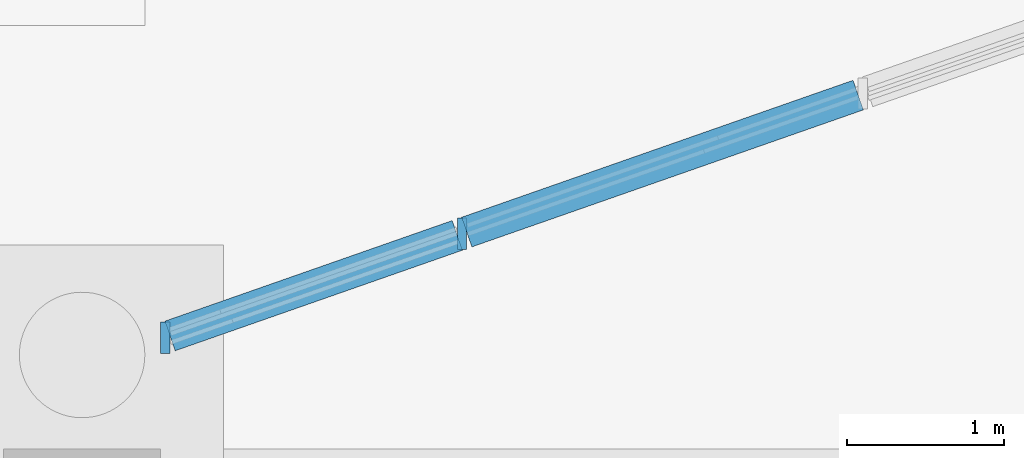
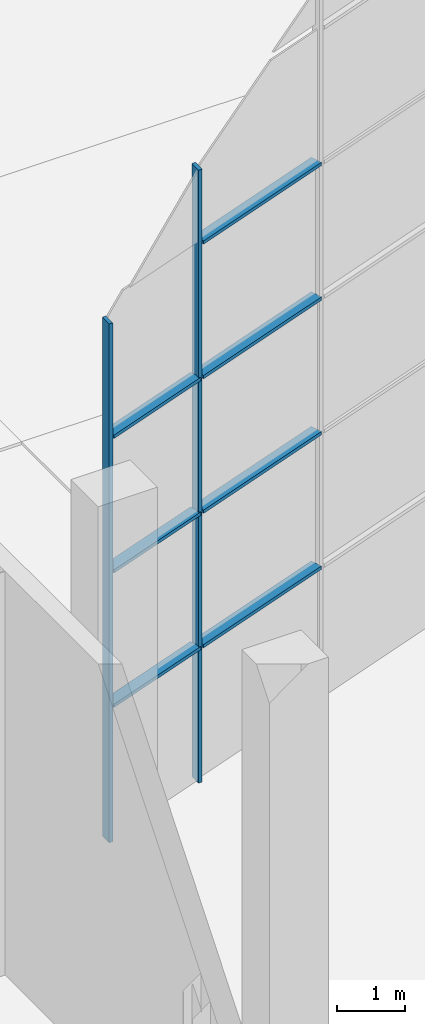
# One storey, part 132 of 239: 9 members, 1 element without a shape of its own.
"""IFC4 building model written with IfcOpenShell, lengths in metres."""

import ifcopenshell
import ifcopenshell.guid

model = None  # the IFC model being written
_history = None  # IfcOwnerHistory: only IFC2X3 demands one
_inside = {}  # id of a spatial element -> (the spatial element, [elements in it])
_under = {}  # id of a project, library or spatial element -> (it, [spatial elements below it])
_declared = {}  # id of a project -> (the project, [libraries it declares])
_typed = {}  # id of a type object -> (the type object, [elements of that type])
_made_of = {}  # id of a material, layer set ... -> (it, [elements and type objects made of it])


def new_model(schema):
    """Start an empty IFC model of exactly this schema.

    Asked for "IFC4X3", IfcOpenShell would pick the latest addendum, in which some entities
    have other attributes; the version numbers below select the first issue.
    IFC2X3 requires an IfcOwnerHistory on every rooted entity: one is made here for all.
    """
    global model, _history
    if schema == "IFC4X3":
        model = ifcopenshell.file(schema_version=(4, 3, 0, 0))
    else:
        model = ifcopenshell.file(schema=schema)
    _inside.clear()
    _under.clear()
    _declared.clear()
    _typed.clear()
    _made_of.clear()
    _history = None
    if model.schema == "IFC2X3":
        org = make("IfcOrganization", Name="unknown")
        user = make(
            "IfcPersonAndOrganization",
            ThePerson=make("IfcPerson", FamilyName="unknown"),
            TheOrganization=org,
        )
        app = make(
            "IfcApplication",
            ApplicationDeveloper=org,
            Version="unknown",
            ApplicationFullName="unknown",
            ApplicationIdentifier="unknown",
        )
        _history = make(
            "IfcOwnerHistory",
            OwningUser=user,
            OwningApplication=app,
            ChangeAction="ADDED",
            CreationDate=0,
        )
    return model


def make(cls, **values):
    """One entity of the class cls with the attributes given. An attribute that is None is left unset."""
    return model.create_entity(
        cls, **{name: value for name, value in values.items() if value is not None}
    )


def rooted(cls, **values):
    """An entity with a GlobalId (a new one), such as an element, a storey or a relation."""
    return make(cls, GlobalId=ifcopenshell.guid.new(), OwnerHistory=_history, **values)


def si_unit(unit_type, name, prefix=None):
    """IfcSIUnit, for example si_unit("LENGTHUNIT", "METRE", prefix="MILLI")."""
    return make("IfcSIUnit", UnitType=unit_type, Prefix=prefix, Name=name)


def assignment(units):
    """IfcUnitAssignment: the units of a project."""
    return None if units is None else make("IfcUnitAssignment", Units=units)


def point(xyz):
    """IfcCartesianPoint."""
    return None if xyz is None else make("IfcCartesianPoint", Coordinates=xyz)


def direction(xyz):
    """IfcDirection."""
    return None if xyz is None else make("IfcDirection", DirectionRatios=xyz)


def frame(location, z_axis=None, x_axis=None):
    """IfcAxis2Placement3D, a coordinate frame: its origin and axes. An axis left out is left unset."""
    return make(
        "IfcAxis2Placement3D",
        Location=point(location),
        Axis=direction(z_axis),
        RefDirection=direction(x_axis),
    )


def frame_2d(location, x_axis=None):
    """IfcAxis2Placement2D, a coordinate frame in the plane: its origin and x axis."""
    return make(
        "IfcAxis2Placement2D", Location=point(location), RefDirection=direction(x_axis)
    )


def origin():
    """The frame at (0, 0, 0) with its axes left unset."""
    return frame((0.0, 0.0, 0.0))


def origin_2d():
    """The frame at (0, 0) in the plane with its x axis left unset."""
    return frame_2d((0.0, 0.0))


def place(relative_to, where):
    """IfcLocalPlacement: puts the frame where relative to a parent placement (None: the world)."""
    return make(
        "IfcLocalPlacement", PlacementRelTo=relative_to, RelativePlacement=where
    )


def context(
    kind, dimensions, precision=None, world=None, true_north=None, identifier=None
):
    """IfcGeometricRepresentationContext, for example the 3D "Model" context."""
    return make(
        "IfcGeometricRepresentationContext",
        ContextIdentifier=identifier,
        ContextType=kind,
        CoordinateSpaceDimension=dimensions,
        Precision=precision,
        WorldCoordinateSystem=world,
        TrueNorth=true_north,
    )


def subcontext(parent, identifier, kind, view, scale=None):
    """IfcGeometricRepresentationSubContext, for example "Body" below "Model"."""
    return make(
        "IfcGeometricRepresentationSubContext",
        ContextIdentifier=identifier,
        ContextType=kind,
        ParentContext=parent,
        TargetScale=scale,
        TargetView=view,
    )


def project(units=None, contexts=None):
    """IfcProject with its units and contexts."""
    return rooted(
        "IfcProject",
        Name="project",
        RepresentationContexts=contexts,
        UnitsInContext=assignment(units),
    )


def spatial(cls, under=None, at=None, **own):
    """A site, building, storey or space (cls), placed at a placement, below another one or the project."""
    s = rooted(cls, ObjectPlacement=at, **own)
    if under is not None:
        _under.setdefault(under.id(), (under, []))[1].append(s)
    return s


def profile(cls, at=None, kind="AREA", **sizes):
    """A parametric profile (cls). Its sizes go by their IFC names, for example OverallWidth=200.0."""
    return make(cls, ProfileType=kind, Position=at, **sizes)


def rectangle(**sizes):
    """IfcRectangleProfileDef."""
    return profile("IfcRectangleProfileDef", **sizes)


def extrude(swept, where, along, depth):
    """IfcExtrudedAreaSolid: the profile swept, set in the frame where, extruded along a direction by depth."""
    return make(
        "IfcExtrudedAreaSolid",
        SweptArea=swept,
        Position=where,
        ExtrudedDirection=direction(along),
        Depth=depth,
    )


def shape(context_of_items, identifier, shape_type, items):
    """IfcShapeRepresentation: the items that make up one representation, for example the "Body"."""
    return make(
        "IfcShapeRepresentation",
        ContextOfItems=context_of_items,
        RepresentationIdentifier=identifier,
        RepresentationType=shape_type,
        Items=items,
    )


def material(Name=None, Category=None):
    """IfcMaterial."""
    return make("IfcMaterial", Name=Name, Category=Category)


def material_profile(
    of_material, cross_section, Name=None, Category=None, Priority=None
):
    """IfcMaterialProfile: a cross section and its material."""
    return make(
        "IfcMaterialProfile",
        Name=Name,
        Material=of_material,
        Profile=cross_section,
        Priority=Priority,
        Category=Category,
    )


def profile_set(profiles, Name=None, composite=None):
    """IfcMaterialProfileSet."""
    return make(
        "IfcMaterialProfileSet",
        Name=Name,
        MaterialProfiles=profiles,
        CompositeProfile=composite,
    )


def made_of(thing, what):
    """Note that an element or type object is made of a material, layer set ...; save() writes the relation."""
    if what is not None:
        _made_of.setdefault(what.id(), (what, []))[1].append(thing)
    return thing


def type_object(cls, material=None, **own):
    """A type object (cls), such as IfcWallType, which elements share."""
    return made_of(rooted(cls, **own), material)


def element(
    cls,
    number,
    at=None,
    inside=None,
    cuts=None,
    type_object=None,
    material=None,
    context=None,
    identifier="Body",
    shape_type=None,
    held_by="IfcProductDefinitionShape",
    body=None,
    shapes=None,
    **own,
):
    """One element of the class cls, such as IfcWall. Its Tag is "e" and its number.

    at: its placement. inside: the storey or other place that contains it. cuts: it is an
    opening in that element (IfcRelVoidsElement). A single representation is given by context,
    identifier, shape_type and body (its items); several are given by shapes. held_by: the class
    of the entity that holds the representations. save() writes the other relations.
    """
    e = rooted(cls, Tag="e%d" % number, ObjectPlacement=at, **own)
    if body is not None:
        shapes = [shape(context, identifier, shape_type, body)]
    if shapes is not None:
        e.Representation = make(held_by, Representations=shapes)
    if inside is not None:
        _inside.setdefault(inside.id(), (inside, []))[1].append(e)
    if cuts is not None:
        rooted(
            "IfcRelVoidsElement", RelatingBuildingElement=cuts, RelatedOpeningElement=e
        )
    if type_object is not None:
        _typed.setdefault(type_object.id(), (type_object, []))[1].append(e)
    return made_of(e, material)


def aggregate(whole, parts):
    """IfcRelAggregates: a whole, such as a stair, and the parts it consists of."""
    return rooted("IfcRelAggregates", RelatingObject=whole, RelatedObjects=parts)


def save(model, path):
    """Write the relations noted so far, then the file.

    IfcRelAggregates (storeys below a building ...), IfcRelContainedInSpatialStructure (elements
    in a storey), IfcRelDefinesByType, IfcRelAssociatesMaterial and IfcRelDeclares: one each for
    every whole, place, type object, material and project.
    """
    for whole, parts in _under.values():
        aggregate(whole, parts)
    for where, things in _inside.values():
        rooted(
            "IfcRelContainedInSpatialStructure",
            RelatedElements=things,
            RelatingStructure=where,
        )
    for kind, things in _typed.values():
        rooted("IfcRelDefinesByType", RelatedObjects=things, RelatingType=kind)
    for what, things in _made_of.values():
        rooted("IfcRelAssociatesMaterial", RelatedObjects=things, RelatingMaterial=what)
    for by, libraries in _declared.values():
        rooted("IfcRelDeclares", RelatingContext=by, RelatedDefinitions=libraries)
    model.write(path)


model = new_model("IFC4")

# Units and contexts
model_context = context("Model", 3, precision=1e-05, world=origin(), true_north=direction((0.0, 1.0)))
body_context = subcontext(model_context, "Body", "Model", "MODEL_VIEW")
ifc_project = project(units=[si_unit("LENGTHUNIT", "METRE"), si_unit("AREAUNIT", "SQUARE_METRE"), si_unit("VOLUMEUNIT", "CUBIC_METRE"), si_unit("PLANEANGLEUNIT", "RADIAN"), si_unit("MASSUNIT", "GRAM", prefix="KILO")], contexts=[model_context])

# Site, building, storey
site_placement = place(None, origin())
site = spatial("IfcSite", under=ifc_project, at=site_placement, CompositionType="ELEMENT")
building_placement = place(site_placement, origin())
building = spatial("IfcBuilding", under=site, at=building_placement, Name="Okhra Congress Centre", CompositionType="ELEMENT")
storey_placement = place(building_placement, origin())
storey = spatial("IfcBuildingStorey", under=building, at=storey_placement, Name="L00", CompositionType="ELEMENT", Elevation=0.0)

# Curtain wall, members
ifc_material_1 = material(Name="Aluminium frame with triple glazing", Category="aluminium")
curtain_wall_type = type_object("IfcCurtainWallType", Name="Glazed gable curtain wall", PredefinedType="NOTDEFINED", material=ifc_material_1)
curtain_wall_placement = place(storey_placement, origin())
curtain_wall = element("IfcCurtainWall", 1, at=curtain_wall_placement, inside=storey, type_object=curtain_wall_type, Name="North gable glazing west", PredefinedType="NOTDEFINED")
ifc_material_2 = material(Name="Aluminium alloy 6063", Category="aluminium")
ifc_material_profile_1 = material_profile(ifc_material_2, rectangle(XDim=0.06005859375, YDim=0.199951171875, at=origin_2d()), Name="AL 60x200 gable")
ifc_profile_set_1 = profile_set([ifc_material_profile_1], Name="Aluminium alloy 6063")
member_type_1 = type_object("IfcMemberType", Name="Aluminium gable mullion 60x200", PredefinedType="MULLION", material=ifc_profile_set_1)
member_1_placement = place(storey_placement, frame((156.030029296875, 212.110595703125, 0.0), z_axis=(0.0, 0.0, 1.0), x_axis=(1.0, 0.0, 0.0)))
member_1 = element("IfcMember", 2, at=member_1_placement, type_object=member_type_1, Name="North gable glazing west mullion 1", PredefinedType="MULLION", context=body_context, shape_type="SweptSolid", body=[
    extrude(rectangle(XDim=0.06005859375, YDim=0.199951171875, at=origin_2d()), origin(), (0.0, 0.0, 1.0), 9.254150390625),
])
member_2_placement = place(storey_placement, frame((157.9208984375, 212.7724609375, 0.0), z_axis=(0.0, 0.0, 1.0), x_axis=(1.0, 0.0, 0.0)))
member_2 = element("IfcMember", 3, at=member_2_placement, type_object=member_type_1, Name="North gable glazing west mullion 2", PredefinedType="MULLION", context=body_context, shape_type="SweptSolid", body=[
    extrude(rectangle(XDim=0.06005859375, YDim=0.199951171875, at=origin_2d()), origin(), (0.0, 0.0, 1.0), 10.93212890625),
])
ifc_material_profile_2 = material_profile(ifc_material_2, rectangle(XDim=0.199951171875, YDim=0.06005859375, at=origin_2d()), Name="AL 200x60 gable transom")
ifc_profile_set_2 = profile_set([ifc_material_profile_2], Name="Aluminium alloy 6063")
member_type_2 = type_object("IfcMemberType", Name="Aluminium gable transom 200x60", PredefinedType="USERDEFINED", material=ifc_profile_set_2)
member_3_placement = place(storey_placement, frame((156.06005859375, 212.12109375, 2.39990234375), z_axis=(0.943858356366, 0.330350424728, 0.0), x_axis=(-0.330350424728, 0.943858356366, 0.0)))
member_3 = element("IfcMember", 4, at=member_3_placement, type_object=member_type_2, Name="North gable glazing west transom 1.1", ObjectType="TRANSOM", PredefinedType="USERDEFINED", context=body_context, shape_type="SweptSolid", body=[
    extrude(rectangle(XDim=0.199951171875, YDim=0.06005859375, at=origin_2d()), origin(), (0.0, 0.0, 1.0), 1.93994140625),
])
member_4_placement = place(storey_placement, frame((156.06005859375, 212.12109375, 4.800048828125), z_axis=(0.943858356366, 0.330350424728, 0.0), x_axis=(-0.330350424728, 0.943858356366, 0.0)))
member_4 = element("IfcMember", 5, at=member_4_placement, type_object=member_type_2, Name="North gable glazing west transom 1.2", ObjectType="TRANSOM", PredefinedType="USERDEFINED", context=body_context, shape_type="SweptSolid", body=[
    extrude(rectangle(XDim=0.199951171875, YDim=0.06005859375, at=origin_2d()), origin(), (0.0, 0.0, 1.0), 1.93994140625),
])
member_5_placement = place(storey_placement, frame((156.06005859375, 212.12109375, 7.199951171875), z_axis=(0.943858356366, 0.330350424728, 0.0), x_axis=(-0.330350424728, 0.943858356366, 0.0)))
member_5 = element("IfcMember", 6, at=member_5_placement, type_object=member_type_2, Name="North gable glazing west transom 1.3", ObjectType="TRANSOM", PredefinedType="USERDEFINED", context=body_context, shape_type="SweptSolid", body=[
    extrude(rectangle(XDim=0.199951171875, YDim=0.06005859375, at=origin_2d()), origin(), (0.0, 0.0, 1.0), 1.93994140625),
])
member_6_placement = place(storey_placement, frame((157.950927734375, 212.782958984375, 2.39990234375), z_axis=(0.943877074689, 0.330296938946, 0.0), x_axis=(-0.330296938946, 0.943877074689, 0.0)))
member_6 = element("IfcMember", 7, at=member_6_placement, type_object=member_type_2, Name="North gable glazing west transom 2.1", ObjectType="TRANSOM", PredefinedType="USERDEFINED", context=body_context, shape_type="SweptSolid", body=[
    extrude(rectangle(XDim=0.199951171875, YDim=0.06005859375, at=origin_2d()), origin(), (0.0, 0.0, 1.0), 2.643310546875),
])
member_7_placement = place(storey_placement, frame((157.950927734375, 212.782958984375, 4.800048828125), z_axis=(0.943877074689, 0.330296938946, 0.0), x_axis=(-0.330296938946, 0.943877074689, 0.0)))
member_7 = element("IfcMember", 8, at=member_7_placement, type_object=member_type_2, Name="North gable glazing west transom 2.2", ObjectType="TRANSOM", PredefinedType="USERDEFINED", context=body_context, shape_type="SweptSolid", body=[
    extrude(rectangle(XDim=0.199951171875, YDim=0.06005859375, at=origin_2d()), origin(), (0.0, 0.0, 1.0), 2.643310546875),
])
member_8_placement = place(storey_placement, frame((157.950927734375, 212.782958984375, 7.199951171875), z_axis=(0.943877074689, 0.330296938946, 0.0), x_axis=(-0.330296938946, 0.943877074689, 0.0)))
member_8 = element("IfcMember", 9, at=member_8_placement, type_object=member_type_2, Name="North gable glazing west transom 2.3", ObjectType="TRANSOM", PredefinedType="USERDEFINED", context=body_context, shape_type="SweptSolid", body=[
    extrude(rectangle(XDim=0.199951171875, YDim=0.06005859375, at=origin_2d()), origin(), (0.0, 0.0, 1.0), 2.643310546875),
])
member_9_placement = place(storey_placement, frame((157.950927734375, 212.782958984375, 9.60009765625), z_axis=(0.943877074689, 0.330296938946, 0.0), x_axis=(-0.330296938946, 0.943877074689, 0.0)))
member_9 = element("IfcMember", 10, at=member_9_placement, type_object=member_type_2, Name="North gable glazing west transom 2.4", ObjectType="TRANSOM", PredefinedType="USERDEFINED", context=body_context, shape_type="SweptSolid", body=[
    extrude(rectangle(XDim=0.199951171875, YDim=0.06005859375, at=origin_2d()), origin(), (0.0, 0.0, 1.0), 2.643310546875),
])
aggregate(curtain_wall, [member_1, member_2, member_3, member_4, member_5, member_6, member_7, member_8, member_9])

save(model, "model.ifc")
